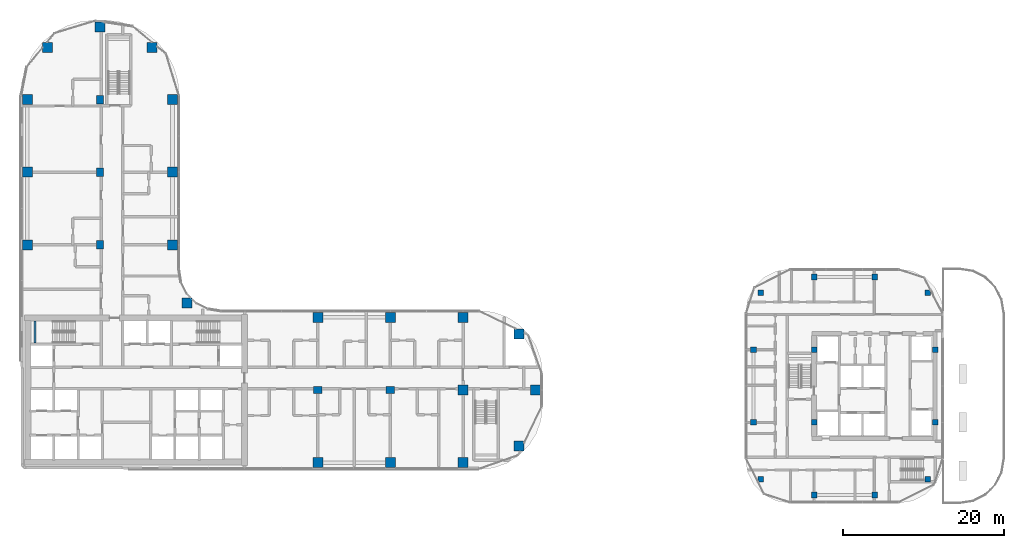
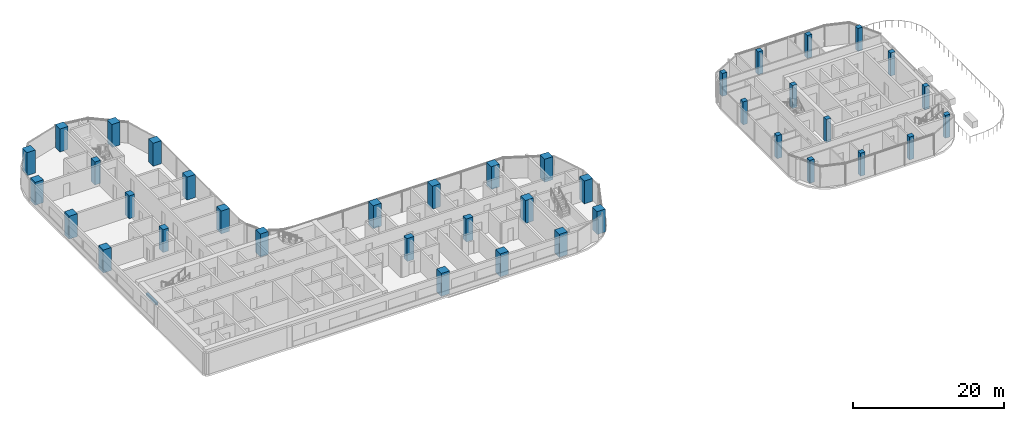
# One storey, part 1 of 35: 39 columns, 1 beam.
"""IFC4 building model written with IfcOpenShell, lengths in metres."""

from ifc_helpers import new_model, si_unit, direction, frame, origin, origin_2d, place, context, subcontext, project, spatial, rectangle, extrude, material, material_profile, profile_set, type_object, element, save


model = new_model("IFC4")

# Units and contexts
model_context = context("Model", 3, precision=1e-05, world=origin(), true_north=direction((0.0, 1.0)))
body_context = subcontext(model_context, "Body", "Model", "MODEL_VIEW")
ifc_project = project(units=[si_unit("LENGTHUNIT", "METRE"), si_unit("AREAUNIT", "SQUARE_METRE"), si_unit("VOLUMEUNIT", "CUBIC_METRE"), si_unit("PLANEANGLEUNIT", "RADIAN"), si_unit("MASSUNIT", "GRAM", prefix="KILO")], contexts=[model_context])

# Site, building, storey
site_placement = place(None, origin())
site = spatial("IfcSite", under=ifc_project, at=site_placement, CompositionType="ELEMENT")
building_placement = place(site_placement, origin())
building = spatial("IfcBuilding", under=site, at=building_placement, Name="Ogive Portal Towers", CompositionType="ELEMENT")
storey_placement = place(building_placement, frame((0.0, 0.0, 94.5)))
storey = spatial("IfcBuildingStorey", under=building, at=storey_placement, Name="L22", CompositionType="ELEMENT", Elevation=94.5)

# Columns
ifc_material_1 = material(Name="Concrete C60/75", Category="concrete")
ifc_material_profile_1 = material_profile(ifc_material_1, rectangle(XDim=1.050048828125, YDim=0.85009765625, at=origin_2d()), Name="RC 1050x850")
ifc_profile_set_1 = profile_set([ifc_material_profile_1], Name="Concrete C60/75")
column_type_1 = type_object("IfcColumnType", Name="COLUMN RC 1050x850", PredefinedType="COLUMN", material=ifc_profile_set_1)
for number, where, z_axis, x_axis, name in (
    (1, (67.5, 30.5, 0.0), (0.0, 0.0, 1.0), (1.0, 0.0, 0.0), "Column 5/B L22"),
    (2, (76.5, 30.5, 0.0), (0.0, 0.0, 1.0), (1.0, 0.0, 0.0), "Column 6/B L22"),
    (3, (40.5, 48.5, 0.0), (0.0, 0.0, 1.0), (0.0, 1.0, 0.0), "Column 2/D L22"),
    (4, (40.5, 57.5, 0.0), (0.0, 0.0, 1.0), (0.0, 1.0, 0.0), "Column 2/E L22"),
    (5, (40.5, 66.5, 0.0), (0.0, 0.0, 1.0), (0.0, 1.0, 0.0), "Column 2/F L22"),
):
    element("IfcColumn", number, at=place(storey_placement, frame(where, z_axis=z_axis, x_axis=x_axis)), inside=storey, type_object=column_type_1, Name=name, PredefinedType="COLUMN", context=body_context, shape_type="SweptSolid", body=[
        extrude(rectangle(XDim=1.050048828125, YDim=0.85009765625, at=origin_2d()), origin(), (0.0, 0.0, 1.0), 3.699951171875),
    ])
ifc_material_profile_2 = material_profile(ifc_material_1, rectangle(XDim=1.25, YDim=1.25, at=origin_2d()), Name="RC 1250x1250")
ifc_profile_set_2 = profile_set([ifc_material_profile_2], Name="Concrete C60/75")
column_type_2 = type_object("IfcColumnType", Name="COLUMN RC 1250x1250", PredefinedType="COLUMN", material=ifc_profile_set_2)
for number, where, z_axis, x_axis, name in (
    (6, (67.5, 21.5, 0.0), (0.0, 0.0, 1.0), (1.0, 0.0, 0.0), "Column 5/A L22"),
    (7, (76.5, 21.5, 0.0), (0.0, 0.0, 1.0), (1.0, 0.0, 0.0), "Column 6/A L22"),
    (8, (85.5, 21.5, 0.0), (0.0, 0.0, 1.0), (1.0, 0.0, 0.0), "Column 7/A L22"),
    (9, (92.449951171875, 23.550048828125, 0.0), (0.0, 0.0, 1.0), (1.0, 0.0, 0.0), "Column L22"),
    (10, (85.5, 30.5, 0.0), (0.0, 0.0, 1.0), (1.0, 0.0, 0.0), "Column 7/B L22"),
    (11, (94.5, 30.5, 0.0), (0.0, 0.0, 1.0), (1.0, 0.0, 0.0), "Column 8/B L22"),
    (12, (92.449951171875, 37.449951171875, 0.0), (0.0, 0.0, 1.0), (1.0, 0.0, 0.0), "Column L22"),
    (13, (67.5, 39.5, 0.0), (0.0, 0.0, 1.0), (1.0, 0.0, 0.0), "Column 5/C L22"),
    (14, (76.5, 39.5, 0.0), (0.0, 0.0, 1.0), (1.0, 0.0, 0.0), "Column 6/C L22"),
    (15, (85.5, 39.5, 0.0), (0.0, 0.0, 1.0), (1.0, 0.0, 0.0), "Column 7/C L22"),
    (16, (51.31005859375, 41.31005859375, 0.0), (0.0, 0.0, 1.0), (1.0, 0.0, 0.0), "Column L22"),
    (17, (31.5, 48.5, 0.0), (0.0, 0.0, 1.0), (1.0, 0.0, 0.0), "Column 1/D L22"),
    (18, (49.5, 48.5, 0.0), (0.0, 0.0, 1.0), (1.0, 0.0, 0.0), "Column 3/D L22"),
    (19, (31.5, 57.5, 0.0), (0.0, 0.0, 1.0), (1.0, 0.0, 0.0), "Column 1/E L22"),
    (20, (49.5, 57.5, 0.0), (0.0, 0.0, 1.0), (1.0, 0.0, 0.0), "Column 3/E L22"),
    (21, (31.5, 66.5, 0.0), (0.0, 0.0, 1.0), (1.0, 0.0, 0.0), "Column 1/F L22"),
    (22, (49.5, 66.5, 0.0), (0.0, 0.0, 1.0), (1.0, 0.0, 0.0), "Column 3/F L22"),
    (23, (34.027099609375, 72.972900390625, 0.0), (0.0, 0.0, 1.0), (1.0, 0.0, 0.0), "Column L22"),
    (24, (46.972900390625, 72.972900390625, 0.0), (0.0, 0.0, 1.0), (1.0, 0.0, 0.0), "Column L22"),
    (25, (40.5, 75.5, 0.0), (0.0, 0.0, 1.0), (1.0, 0.0, 0.0), "Column 2/G L22"),
):
    element("IfcColumn", number, at=place(storey_placement, frame(where, z_axis=z_axis, x_axis=x_axis)), inside=storey, type_object=column_type_2, Name=name, PredefinedType="COLUMN", context=body_context, shape_type="SweptSolid", body=[
        extrude(rectangle(XDim=1.25, YDim=1.25, at=origin_2d()), origin(), (0.0, 0.0, 1.0), 3.699951171875),
    ])
ifc_material_2 = material(Name="Concrete C50/60", Category="concrete")
ifc_material_profile_3 = material_profile(ifc_material_2, rectangle(XDim=0.699951171875, YDim=0.699951171875, at=origin_2d()), Name="RC 700x700")
ifc_profile_set_3 = profile_set([ifc_material_profile_3], Name="Concrete C50/60")
column_type_3 = type_object("IfcColumnType", Name="COLUMN RC 700x700", PredefinedType="COLUMN", material=ifc_profile_set_3)
for number, where, z_axis, x_axis, name in (
    (26, (129.0, 17.5, 0.0), (0.0, 0.0, 1.0), (1.0, 0.0, 0.0), "Column 12/H L22"),
    (27, (136.5, 17.5, 0.0), (0.0, 0.0, 1.0), (1.0, 0.0, 0.0), "Column 13/H L22"),
    (28, (122.40087890625, 19.44189453125, 0.0), (0.0, 0.0, 1.0), (1.0, 0.0, 0.0), "Column L22"),
    (29, (143.09912109375, 19.44189453125, 0.0), (0.0, 0.0, 1.0), (1.0, 0.0, 0.0), "Column L22"),
    (30, (121.5, 26.5, 0.0), (0.0, 0.0, 1.0), (1.0, 0.0, 0.0), "Column 11/J L22"),
    (31, (129.0, 26.5, 0.0), (0.0, 0.0, 1.0), (1.0, 0.0, 0.0), "Column 12/J L22"),
    (32, (144.0, 26.5, 0.0), (0.0, 0.0, 1.0), (1.0, 0.0, 0.0), "Column 14/J L22"),
    (33, (121.5, 35.5, 0.0), (0.0, 0.0, 1.0), (1.0, 0.0, 0.0), "Column 11/K L22"),
    (34, (129.0, 35.5, 0.0), (0.0, 0.0, 1.0), (1.0, 0.0, 0.0), "Column 12/K L22"),
    (35, (144.0, 35.5, 0.0), (0.0, 0.0, 1.0), (1.0, 0.0, 0.0), "Column 14/K L22"),
    (36, (122.40087890625, 42.55810546875, 0.0), (0.0, 0.0, 1.0), (1.0, 0.0, 0.0), "Column L22"),
    (37, (143.09912109375, 42.55810546875, 0.0), (0.0, 0.0, 1.0), (1.0, 0.0, 0.0), "Column L22"),
    (38, (129.0, 44.5, 0.0), (0.0, 0.0, 1.0), (1.0, 0.0, 0.0), "Column 12/L L22"),
    (39, (136.5, 44.5, 0.0), (0.0, 0.0, 1.0), (1.0, 0.0, 0.0), "Column 13/L L22"),
):
    element("IfcColumn", number, at=place(storey_placement, frame(where, z_axis=z_axis, x_axis=x_axis)), inside=storey, type_object=column_type_3, Name=name, PredefinedType="COLUMN", context=body_context, shape_type="SweptSolid", body=[
        extrude(rectangle(XDim=0.699951171875, YDim=0.699951171875, at=origin_2d()), origin(), (0.0, 0.0, 1.0), 3.699951171875),
    ])

# Beam
ifc_material_3 = material(Name="Concrete C40/50", Category="concrete")
ifc_material_profile_4 = material_profile(ifc_material_3, rectangle(XDim=0.300048828125, YDim=0.39990234375, at=origin_2d()), Name="RC 300x400")
ifc_profile_set_4 = profile_set([ifc_material_profile_4], Name="Concrete C40/50")
beam_type = type_object("IfcBeamType", Name="BEAM RC 300x400", PredefinedType="BEAM", material=ifc_profile_set_4)
beam_placement = place(storey_placement, frame((32.449951171875, 36.35009765625, 1.449951171875), z_axis=(0.0, 1.0, 0.0), x_axis=(-1.0, 0.0, 0.0)))
element("IfcBeam", 40, at=beam_placement, inside=storey, type_object=beam_type, Name="Landing beam L22", PredefinedType="BEAM", context=body_context, shape_type="SweptSolid", body=[
    extrude(rectangle(XDim=0.300048828125, YDim=0.39990234375, at=origin_2d()), origin(), (0.0, 0.0, 1.0), 2.699951171875),
])

save(model, "model.ifc")
